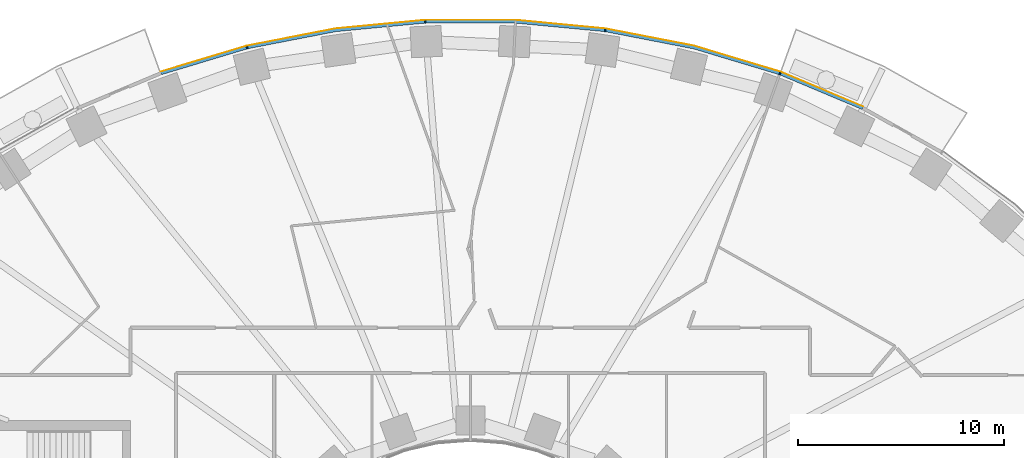
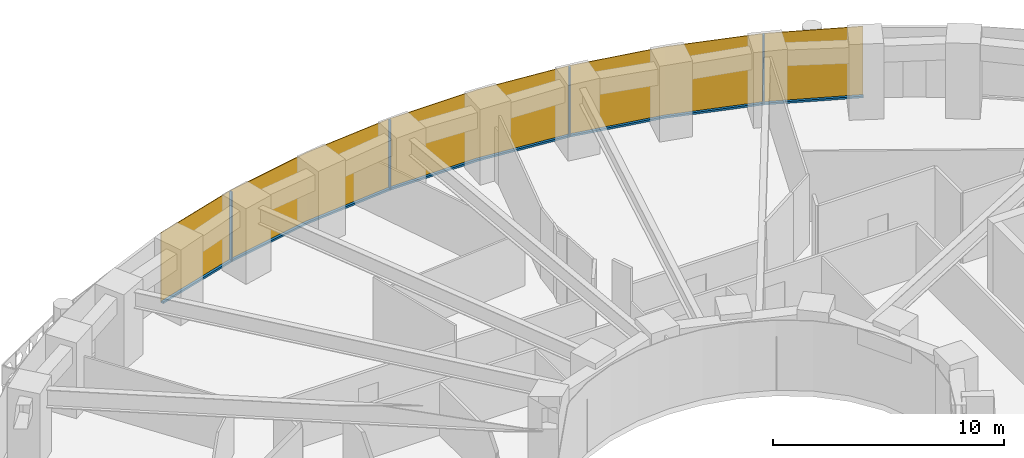
# One storey, part 12 of 15: 9 members, 1 curtain wall.
"""IFC4 building model written with IfcOpenShell, lengths in metres."""

import ifcopenshell
import ifcopenshell.guid

model = None  # the IFC model being written
_history = None  # IfcOwnerHistory: only IFC2X3 demands one
_inside = {}  # id of a spatial element -> (the spatial element, [elements in it])
_under = {}  # id of a project, library or spatial element -> (it, [spatial elements below it])
_declared = {}  # id of a project -> (the project, [libraries it declares])
_typed = {}  # id of a type object -> (the type object, [elements of that type])
_made_of = {}  # id of a material, layer set ... -> (it, [elements and type objects made of it])


def new_model(schema):
    """Start an empty IFC model of exactly this schema.

    Asked for "IFC4X3", IfcOpenShell would pick the latest addendum, in which some entities
    have other attributes; the version numbers below select the first issue.
    IFC2X3 requires an IfcOwnerHistory on every rooted entity: one is made here for all.
    """
    global model, _history
    if schema == "IFC4X3":
        model = ifcopenshell.file(schema_version=(4, 3, 0, 0))
    else:
        model = ifcopenshell.file(schema=schema)
    _inside.clear()
    _under.clear()
    _declared.clear()
    _typed.clear()
    _made_of.clear()
    _history = None
    if model.schema == "IFC2X3":
        org = make("IfcOrganization", Name="unknown")
        user = make(
            "IfcPersonAndOrganization",
            ThePerson=make("IfcPerson", FamilyName="unknown"),
            TheOrganization=org,
        )
        app = make(
            "IfcApplication",
            ApplicationDeveloper=org,
            Version="unknown",
            ApplicationFullName="unknown",
            ApplicationIdentifier="unknown",
        )
        _history = make(
            "IfcOwnerHistory",
            OwningUser=user,
            OwningApplication=app,
            ChangeAction="ADDED",
            CreationDate=0,
        )
    return model


def make(cls, **values):
    """One entity of the class cls with the attributes given. An attribute that is None is left unset."""
    return model.create_entity(
        cls, **{name: value for name, value in values.items() if value is not None}
    )


def rooted(cls, **values):
    """An entity with a GlobalId (a new one), such as an element, a storey or a relation."""
    return make(cls, GlobalId=ifcopenshell.guid.new(), OwnerHistory=_history, **values)


def si_unit(unit_type, name, prefix=None):
    """IfcSIUnit, for example si_unit("LENGTHUNIT", "METRE", prefix="MILLI")."""
    return make("IfcSIUnit", UnitType=unit_type, Prefix=prefix, Name=name)


def assignment(units):
    """IfcUnitAssignment: the units of a project."""
    return None if units is None else make("IfcUnitAssignment", Units=units)


def point(xyz):
    """IfcCartesianPoint."""
    return None if xyz is None else make("IfcCartesianPoint", Coordinates=xyz)


def direction(xyz):
    """IfcDirection."""
    return None if xyz is None else make("IfcDirection", DirectionRatios=xyz)


def frame(location, z_axis=None, x_axis=None):
    """IfcAxis2Placement3D, a coordinate frame: its origin and axes. An axis left out is left unset."""
    return make(
        "IfcAxis2Placement3D",
        Location=point(location),
        Axis=direction(z_axis),
        RefDirection=direction(x_axis),
    )


def frame_2d(location, x_axis=None):
    """IfcAxis2Placement2D, a coordinate frame in the plane: its origin and x axis."""
    return make(
        "IfcAxis2Placement2D", Location=point(location), RefDirection=direction(x_axis)
    )


def origin():
    """The frame at (0, 0, 0) with its axes left unset."""
    return frame((0.0, 0.0, 0.0))


def origin_2d():
    """The frame at (0, 0) in the plane with its x axis left unset."""
    return frame_2d((0.0, 0.0))


def place(relative_to, where):
    """IfcLocalPlacement: puts the frame where relative to a parent placement (None: the world)."""
    return make(
        "IfcLocalPlacement", PlacementRelTo=relative_to, RelativePlacement=where
    )


def context(
    kind, dimensions, precision=None, world=None, true_north=None, identifier=None
):
    """IfcGeometricRepresentationContext, for example the 3D "Model" context."""
    return make(
        "IfcGeometricRepresentationContext",
        ContextIdentifier=identifier,
        ContextType=kind,
        CoordinateSpaceDimension=dimensions,
        Precision=precision,
        WorldCoordinateSystem=world,
        TrueNorth=true_north,
    )


def subcontext(parent, identifier, kind, view, scale=None):
    """IfcGeometricRepresentationSubContext, for example "Body" below "Model"."""
    return make(
        "IfcGeometricRepresentationSubContext",
        ContextIdentifier=identifier,
        ContextType=kind,
        ParentContext=parent,
        TargetScale=scale,
        TargetView=view,
    )


def project(units=None, contexts=None):
    """IfcProject with its units and contexts."""
    return rooted(
        "IfcProject",
        Name="project",
        RepresentationContexts=contexts,
        UnitsInContext=assignment(units),
    )


def spatial(cls, under=None, at=None, **own):
    """A site, building, storey or space (cls), placed at a placement, below another one or the project."""
    s = rooted(cls, ObjectPlacement=at, **own)
    if under is not None:
        _under.setdefault(under.id(), (under, []))[1].append(s)
    return s


def polyline(points):
    """IfcPolyline through the points."""
    return make("IfcPolyline", Points=[point(p) for p in points])


def profile(cls, at=None, kind="AREA", **sizes):
    """A parametric profile (cls). Its sizes go by their IFC names, for example OverallWidth=200.0."""
    return make(cls, ProfileType=kind, Position=at, **sizes)


def rectangle(**sizes):
    """IfcRectangleProfileDef."""
    return profile("IfcRectangleProfileDef", **sizes)


def outline(outer, holes=None, kind="AREA"):
    """IfcArbitraryClosedProfileDef: a profile drawn as a closed curve; with holes, ...WithVoids."""
    if holes is None:
        return make("IfcArbitraryClosedProfileDef", ProfileType=kind, OuterCurve=outer)
    return make(
        "IfcArbitraryProfileDefWithVoids",
        ProfileType=kind,
        OuterCurve=outer,
        InnerCurves=holes,
    )


def extrude(swept, where, along, depth):
    """IfcExtrudedAreaSolid: the profile swept, set in the frame where, extruded along a direction by depth."""
    return make(
        "IfcExtrudedAreaSolid",
        SweptArea=swept,
        Position=where,
        ExtrudedDirection=direction(along),
        Depth=depth,
    )


def shape(context_of_items, identifier, shape_type, items):
    """IfcShapeRepresentation: the items that make up one representation, for example the "Body"."""
    return make(
        "IfcShapeRepresentation",
        ContextOfItems=context_of_items,
        RepresentationIdentifier=identifier,
        RepresentationType=shape_type,
        Items=items,
    )


def material(Name=None, Category=None):
    """IfcMaterial."""
    return make("IfcMaterial", Name=Name, Category=Category)


def layer(
    of_material, thickness, ventilated=None, Name=None, Category=None, Priority=None
):
    """IfcMaterialLayer: one layer of a wall or slab, of a material (None: an air gap)."""
    return make(
        "IfcMaterialLayer",
        Material=of_material,
        LayerThickness=thickness,
        IsVentilated=ventilated,
        Name=Name,
        Category=Category,
        Priority=Priority,
    )


def layer_set(layers, Name=None):
    """IfcMaterialLayerSet."""
    return make("IfcMaterialLayerSet", MaterialLayers=layers, LayerSetName=Name)


def material_profile(
    of_material, cross_section, Name=None, Category=None, Priority=None
):
    """IfcMaterialProfile: a cross section and its material."""
    return make(
        "IfcMaterialProfile",
        Name=Name,
        Material=of_material,
        Profile=cross_section,
        Priority=Priority,
        Category=Category,
    )


def profile_set(profiles, Name=None, composite=None):
    """IfcMaterialProfileSet."""
    return make(
        "IfcMaterialProfileSet",
        Name=Name,
        MaterialProfiles=profiles,
        CompositeProfile=composite,
    )


def made_of(thing, what):
    """Note that an element or type object is made of a material, layer set ...; save() writes the relation."""
    if what is not None:
        _made_of.setdefault(what.id(), (what, []))[1].append(thing)
    return thing


def type_object(cls, material=None, **own):
    """A type object (cls), such as IfcWallType, which elements share."""
    return made_of(rooted(cls, **own), material)


def element(
    cls,
    number,
    at=None,
    inside=None,
    cuts=None,
    type_object=None,
    material=None,
    context=None,
    identifier="Body",
    shape_type=None,
    held_by="IfcProductDefinitionShape",
    body=None,
    shapes=None,
    **own,
):
    """One element of the class cls, such as IfcWall. Its Tag is "e" and its number.

    at: its placement. inside: the storey or other place that contains it. cuts: it is an
    opening in that element (IfcRelVoidsElement). A single representation is given by context,
    identifier, shape_type and body (its items); several are given by shapes. held_by: the class
    of the entity that holds the representations. save() writes the other relations.
    """
    e = rooted(cls, Tag="e%d" % number, ObjectPlacement=at, **own)
    if body is not None:
        shapes = [shape(context, identifier, shape_type, body)]
    if shapes is not None:
        e.Representation = make(held_by, Representations=shapes)
    if inside is not None:
        _inside.setdefault(inside.id(), (inside, []))[1].append(e)
    if cuts is not None:
        rooted(
            "IfcRelVoidsElement", RelatingBuildingElement=cuts, RelatedOpeningElement=e
        )
    if type_object is not None:
        _typed.setdefault(type_object.id(), (type_object, []))[1].append(e)
    return made_of(e, material)


def aggregate(whole, parts):
    """IfcRelAggregates: a whole, such as a stair, and the parts it consists of."""
    return rooted("IfcRelAggregates", RelatingObject=whole, RelatedObjects=parts)


def save(model, path):
    """Write the relations noted so far, then the file.

    IfcRelAggregates (storeys below a building ...), IfcRelContainedInSpatialStructure (elements
    in a storey), IfcRelDefinesByType, IfcRelAssociatesMaterial and IfcRelDeclares: one each for
    every whole, place, type object, material and project.
    """
    for whole, parts in _under.values():
        aggregate(whole, parts)
    for where, things in _inside.values():
        rooted(
            "IfcRelContainedInSpatialStructure",
            RelatedElements=things,
            RelatingStructure=where,
        )
    for kind, things in _typed.values():
        rooted("IfcRelDefinesByType", RelatedObjects=things, RelatingType=kind)
    for what, things in _made_of.values():
        rooted("IfcRelAssociatesMaterial", RelatedObjects=things, RelatingMaterial=what)
    for by, libraries in _declared.values():
        rooted("IfcRelDeclares", RelatingContext=by, RelatedDefinitions=libraries)
    model.write(path)


model = new_model("IFC4")

# Units and contexts
model_context = context("Model", 3, precision=1e-05, world=origin(), true_north=direction((0.0, 1.0)))
body_context = subcontext(model_context, "Body", "Model", "MODEL_VIEW")
ifc_project = project(units=[si_unit("LENGTHUNIT", "METRE"), si_unit("AREAUNIT", "SQUARE_METRE"), si_unit("VOLUMEUNIT", "CUBIC_METRE"), si_unit("PLANEANGLEUNIT", "RADIAN"), si_unit("MASSUNIT", "GRAM", prefix="KILO")], contexts=[model_context])

# Member
ifc_material_1 = material(Name="Aluminium 6063-T6 black anodised", Category="aluminium")
ifc_material_profile = material_profile(ifc_material_1, rectangle(XDim=0.1201171875, YDim=0.06005859375, at=origin_2d()), Name="120x60")
ifc_profile_set = profile_set([ifc_material_profile], Name="Aluminium 6063-T6 black anodised")
member_type_1 = type_object("IfcMemberType", Name="ENV-MULLION-A-120", PredefinedType="MULLION", material=ifc_profile_set)
site_placement = place(None, origin())
building_placement = place(site_placement, origin())
storey_placement = place(building_placement, frame((0.0, 0.0, 50.5)))
member_1_placement = place(storey_placement, frame((15.0341796875, 25.34375, 0.0), z_axis=(0.0, 0.0, 1.0), x_axis=(-0.338379256581, -0.941009818608, 0.0)))
member_1 = element("IfcMember", 1, at=member_1_placement, type_object=member_type_1, Name="Mullion A radial 09", PredefinedType="MULLION", context=body_context, shape_type="SweptSolid", body=[
    extrude(rectangle(XDim=0.1201171875, YDim=0.06005859375, at=origin_2d()), origin(), (0.0, 0.0, 1.0), 3.699951171875),
])

member_2_placement = place(storey_placement, frame((6.54638671875, 27.440185546875, 0.0), z_axis=(0.0, 0.0, 1.0), x_axis=(-0.143082012705, -0.989710835366, 0.0)))
member_2 = element("IfcMember", 2, at=member_2_placement, type_object=member_type_1, Name="Mullion A radial 11", PredefinedType="MULLION", context=body_context, shape_type="SweptSolid", body=[
    extrude(rectangle(XDim=0.1201171875, YDim=0.06005859375, at=origin_2d()), origin(), (0.0, 0.0, 1.0), 3.699951171875),
])

member_3_placement = place(storey_placement, frame((-2.188720703125, 27.856201171875, 0.0), z_axis=(0.0, 0.0, 1.0), x_axis=(0.047557873581, -0.998868484166, 0.0)))
member_3 = element("IfcMember", 3, at=member_3_placement, type_object=member_type_1, Name="Mullion A radial 13", PredefinedType="MULLION", context=body_context, shape_type="SweptSolid", body=[
    extrude(rectangle(XDim=0.1201171875, YDim=0.06005859375, at=origin_2d()), origin(), (0.0, 0.0, 1.0), 3.699951171875),
])

member_4_placement = place(storey_placement, frame((-10.84326171875, 26.60498046875, 0.0), z_axis=(0.0, 0.0, 1.0), x_axis=(0.239799081534, -0.970822538106, 0.0)))
member_4 = element("IfcMember", 4, at=member_4_placement, type_object=member_type_1, Name="Mullion A radial 15", PredefinedType="MULLION", context=body_context, shape_type="SweptSolid", body=[
    extrude(rectangle(XDim=0.1201171875, YDim=0.06005859375, at=origin_2d()), origin(), (0.0, 0.0, 1.0), 3.699951171875),
])

ifc_material_2 = material(Name="Aluminium 6063-T6 black anodised", Category="aluminium")
member_type_2 = type_object("IfcMemberType", Name="ENV-TRANSOM-A", PredefinedType="USERDEFINED", material=ifc_material_2)
member_5_placement = place(storey_placement, origin())
member_5 = element("IfcMember", 5, at=member_5_placement, type_object=member_type_2, Name="Transom A radial 08-09", ObjectType="TRANSOM", PredefinedType="USERDEFINED", context=body_context, shape_type="SweptSolid", body=[
    extrude(outline(polyline([(19.07568359375, 23.709228515625), (15.080322265625, 25.389404296875), (15.03955078125, 25.276123046875), (19.02294921875, 23.601318359375), (19.07568359375, 23.709228515625)])), origin(), (0.0, 0.0, 1.0), 0.10009765625),
])

member_6_placement = place(storey_placement, origin())
member_6 = element("IfcMember", 6, at=member_6_placement, type_object=member_type_2, Name="Transom A radial 09-11", ObjectType="TRANSOM", PredefinedType="USERDEFINED", context=body_context, shape_type="SweptSolid", body=[
    extrude(outline(polyline([(15.027587890625, 25.408203125), (10.857666015625, 26.6630859375), (6.58251953125, 27.494140625), (6.5654296875, 27.375244140625), (10.828857421875, 26.54638671875), (14.987060546875, 25.295166015625), (15.027587890625, 25.408203125)])), origin(), (0.0, 0.0, 1.0), 0.10009765625),
])

member_7_placement = place(storey_placement, origin())
member_7 = element("IfcMember", 7, at=member_7_placement, type_object=member_type_2, Name="Transom A radial 11-13", ObjectType="TRANSOM", PredefinedType="USERDEFINED", context=body_context, shape_type="SweptSolid", body=[
    extrude(outline(polyline([(6.527099609375, 27.502197265625), (2.191650390625, 27.916015625), (-2.163818359375, 27.916015625), (-2.157958984375, 27.7958984375), (2.185791015625, 27.7958984375), (6.510009765625, 27.38330078125), (6.527099609375, 27.502197265625)])), origin(), (0.0, 0.0, 1.0), 0.10009765625),
])

member_8_placement = place(storey_placement, origin())
member_8 = element("IfcMember", 8, at=member_8_placement, type_object=member_type_2, Name="Transom A radial 13-15", ObjectType="TRANSOM", PredefinedType="USERDEFINED", context=body_context, shape_type="SweptSolid", body=[
    extrude(outline(polyline([(-2.219482421875, 27.913330078125), (-6.55517578125, 27.49951171875), (-10.830078125, 26.66845703125), (-10.80126953125, 26.552001953125), (-6.537841796875, 27.380615234375), (-2.2138671875, 27.793212890625), (-2.219482421875, 27.913330078125)])), origin(), (0.0, 0.0, 1.0), 0.10009765625),
])

member_9_placement = place(storey_placement, origin())
member_9 = element("IfcMember", 9, at=member_9_placement, type_object=member_type_2, Name="Transom A radial 15-16", ObjectType="TRANSOM", PredefinedType="USERDEFINED", context=body_context, shape_type="SweptSolid", body=[
    extrude(outline(polyline([(-10.884521484375, 26.655029296875), (-15.035400390625, 25.406005859375), (-14.99462890625, 25.292724609375), (-10.855712890625, 26.53857421875), (-10.884521484375, 26.655029296875)])), origin(), (0.0, 0.0, 1.0), 0.10009765625),
])

# Site, building, storey
site = spatial("IfcSite", under=ifc_project, at=site_placement, CompositionType="ELEMENT")
building = spatial("IfcBuilding", under=site, at=building_placement, Name="Noorbagh Ring Tower", CompositionType="ELEMENT")
storey = spatial("IfcBuildingStorey", under=building, at=storey_placement, Name="L10", CompositionType="ELEMENT", Elevation=50.5)

# Curtain wall
ifc_material_3 = material(Name="Glass dark tinted laminated", Category="glass")
ifc_layer = layer(ifc_material_3, 0.031982421875)
ifc_layer_set = layer_set([ifc_layer], Name="Glass dark tinted laminated")
curtain_wall_type = type_object("IfcCurtainWallType", Name="ENV-CW-A", PredefinedType="NOTDEFINED", material=ifc_layer_set)
curtain_wall_placement = place(storey_placement, origin())
curtain_wall = element("IfcCurtainWall", 10, at=curtain_wall_placement, inside=storey, type_object=curtain_wall_type, Name="Curtain wall A R08", PredefinedType="NOTDEFINED", context=body_context, shape_type="SweptSolid", body=[
    extrude(outline(polyline([(19.08984375, 23.738037109375), (15.065185546875, 25.430419921875), (10.865234375, 26.6943359375), (6.559814453125, 27.53125), (2.193115234375, 27.947998046875), (-2.193115234375, 27.947998046875), (-6.559814453125, 27.53125), (-10.865234375, 26.6943359375), (-15.046142578125, 25.43603515625), (-15.035400390625, 25.406005859375), (-10.857666015625, 26.6630859375), (-6.55517578125, 27.49951171875), (-2.191650390625, 27.916015625), (2.191650390625, 27.916015625), (6.55517578125, 27.49951171875), (10.857666015625, 26.6630859375), (15.054443359375, 25.400146484375), (19.07568359375, 23.709228515625), (19.08984375, 23.738037109375)])), origin(), (0.0, 0.0, 1.0), 3.699951171875),
])

aggregate(curtain_wall, [member_1, member_2, member_3, member_4, member_5, member_6, member_7, member_8, member_9])

save(model, "model.ifc")
